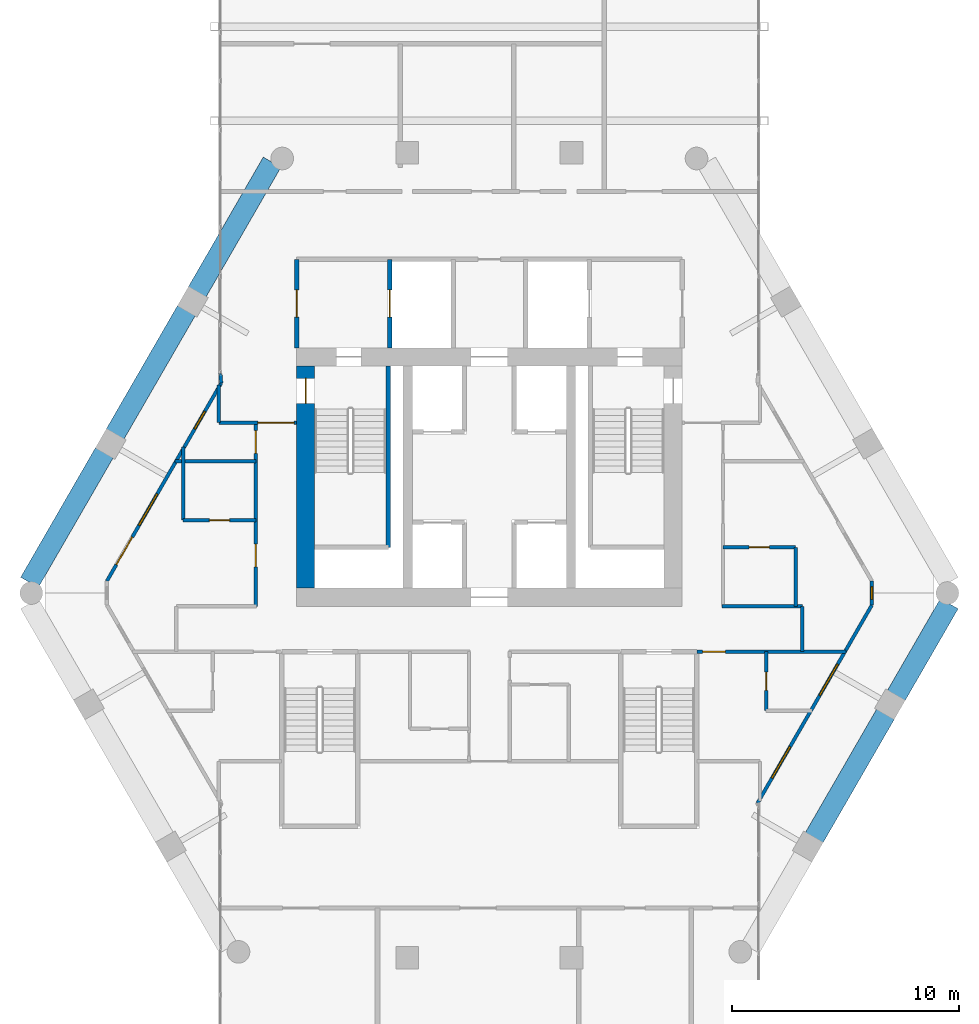
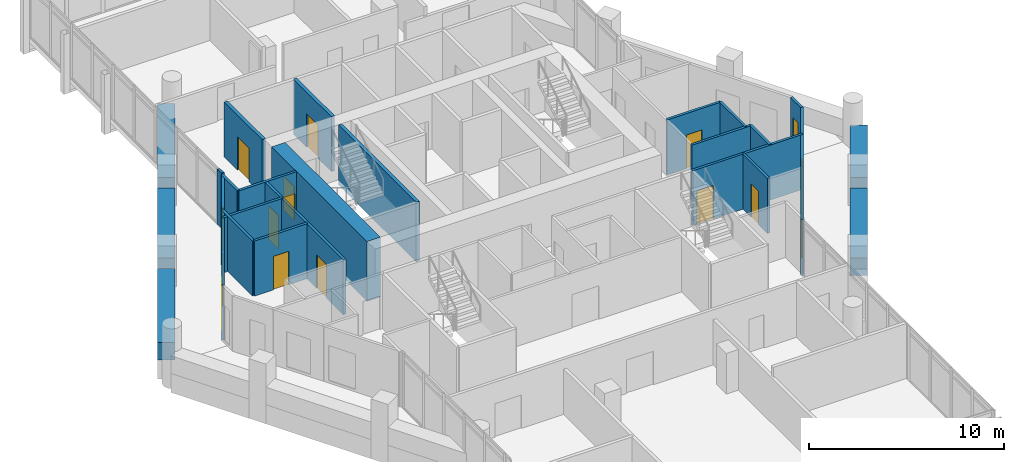
# One storey, part 26 of 29: 25 walls, 11 doors, 5 windows, 16 openings.
"""IFC4 building model written with IfcOpenShell, lengths in metres."""

from ifc_helpers import new_model, si_unit, direction, frame, frame_2d, origin, place, context, subcontext, project, spatial, rectangle, extrude, material, layer, layer_set, type_object, element, fill, save


model = new_model("IFC4")

# Units and contexts
model_context = context("Model", 3, precision=1e-05, world=origin(), true_north=direction((0.0, 1.0)))
body_context = subcontext(model_context, "Body", "Model", "MODEL_VIEW")
ifc_project = project(units=[si_unit("LENGTHUNIT", "METRE"), si_unit("AREAUNIT", "SQUARE_METRE"), si_unit("VOLUMEUNIT", "CUBIC_METRE"), si_unit("PLANEANGLEUNIT", "RADIAN"), si_unit("MASSUNIT", "GRAM", prefix="KILO")], contexts=[model_context])

# Site, building, storey
site_placement = place(None, origin())
site = spatial("IfcSite", under=ifc_project, at=site_placement, CompositionType="ELEMENT")
building_placement = place(site_placement, origin())
building = spatial("IfcBuilding", under=site, at=building_placement, Name="Ostrander Bayou Hotel Tower", CompositionType="ELEMENT")
storey_placement = place(building_placement, frame((0.0, 0.0, 202.0)))
storey = spatial("IfcBuildingStorey", under=building, at=storey_placement, Name="L50", CompositionType="ELEMENT", Elevation=202.0)

# Wall, opening, door
ifc_material_1 = material(Name="Concrete f'c 60 MPa", Category="concrete")
ifc_layer_1 = layer(ifc_material_1, 0.800048828125)
ifc_layer_set_1 = layer_set([ifc_layer_1], Name="CW8 core spine wall 800 mm f'c 60 MPa")
wall_type_1 = type_object("IfcWallType", Name="CW8 core spine wall 800 mm f'c 60 MPa", PredefinedType="SHEAR", material=ifc_layer_set_1)
wall_1_placement = place(storey_placement, frame((-8.10009765625, -0.89990234375, -0.300048828125), z_axis=(0.0, 0.0, 1.0), x_axis=(0.0, 1.0, 0.0)))
wall_1 = element("IfcWall", 1, at=wall_1_placement, inside=storey, type_object=wall_type_1, Name="CW8 L50 W", PredefinedType="SHEAR", context=body_context, shape_type="SweptSolid", body=[
    extrude(rectangle(XDim=9.7998046875, YDim=0.800048828125, at=frame_2d((4.89990234375, 0.0))), origin(), (0.0, 0.0, 1.0), 3.75),
])
opening_1_placement = place(wall_1_placement, frame((8.14990234375, 0.0, 0.0)))
opening_1 = element("IfcOpeningElement", 2, at=opening_1_placement, cuts=wall_1, Name="Opening T50-008", PredefinedType="OPENING", context=body_context, shape_type="SweptSolid", body=[
    extrude(rectangle(XDim=1.10009765625, YDim=2.10009765625, at=frame_2d((0.550048828125, 1.050048828125))), frame((0.0, 0.39990234375, 0.0), z_axis=(0.0, -1.0, 0.0), x_axis=(1.0, 0.0, 0.0)), (0.0, 0.0, 1.0), 0.800048828125),
])
ifc_material_2 = material(Name="Timber door leaf", Category="wood")
door_type_1 = type_object("IfcDoorType", Name="D5 stair door 1100 x 2100 mm, 90 minute", OperationType="SINGLE_SWING_LEFT", PredefinedType="DOOR", material=ifc_material_2)
door_1_placement = place(opening_1_placement, origin())
door_1 = element("IfcDoor", 3, at=door_1_placement, inside=storey, type_object=door_type_1, Name="dr:L50:008", OperationType="SINGLE_SWING_RIGHT", OverallHeight=2.10009765625, OverallWidth=1.10009765625, PredefinedType="DOOR", context=body_context, shape_type="SweptSolid", body=[
    extrude(rectangle(XDim=1.10009765625, YDim=2.10009765625, at=frame_2d((0.550048828125, 1.050048828125))), frame((0.0, 0.02490234375, 0.0), z_axis=(0.0, -1.0, 0.0), x_axis=(1.0, 0.0, 0.0)), (0.0, 0.0, 1.0), 0.050048828125),
])
fill(opening_1, door_1)

# Wall, openings, door, windows
ifc_material_3 = material(Name="Aluminium framed insulated wall", Category="aluminium")
ifc_layer_2 = layer(ifc_material_3, 0.14990234375)
ifc_layer_set_2 = layer_set([ifc_layer_2], Name="GW1 glass-line wall 150 mm")
wall_type_2 = type_object("IfcWallType", Name="GW1 glass-line wall 150 mm", PredefinedType="SOLIDWALL", material=ifc_layer_set_2)
wall_2_placement = place(storey_placement, frame((-11.823974609375, 8.144775390625, 0.0), z_axis=(0.0, 0.0, 1.0), x_axis=(-0.499993749393, -0.866029012544, 0.0)))
wall_2 = element("IfcWall", 4, at=wall_2_placement, inside=storey, type_object=wall_type_2, Name="GW1 L50 NW 1", PredefinedType="SOLIDWALL", context=body_context, shape_type="SweptSolid", body=[
    extrude(rectangle(XDim=10.074951171875, YDim=0.14990234375, at=frame_2d((5.03759765625, 0.0))), origin(), (0.0, 0.0, 1.0), 3.449951171875),
])
opening_2_placement = place(wall_2_placement, frame((1.44140625, 0.0, 0.14990234375)))
opening_2 = element("IfcOpeningElement", 5, at=opening_2_placement, cuts=wall_2, Name="Opening W17", PredefinedType="OPENING", context=body_context, shape_type="SweptSolid", body=[
    extrude(rectangle(XDim=0.89990234375, YDim=2.199951171875, at=frame_2d((0.449951171875, 1.10009765625))), frame((0.0, 0.074951171875, 0.0), z_axis=(0.0, -1.0, 0.0), x_axis=(1.0, 0.0, 0.0)), (0.0, 0.0, 1.0), 0.14990234375),
])
opening_3_placement = place(wall_2_placement, frame((5.6416015625, 0.0, 0.14990234375)))
opening_3 = element("IfcOpeningElement", 6, at=opening_3_placement, cuts=wall_2, Name="Opening W9", PredefinedType="OPENING", context=body_context, shape_type="SweptSolid", body=[
    extrude(rectangle(XDim=1.60009765625, YDim=2.199951171875, at=frame_2d((0.800048828125, 1.10009765625))), frame((0.0, 0.074951171875, 0.0), z_axis=(0.0, -1.0, 0.0), x_axis=(1.0, 0.0, 0.0)), (0.0, 0.0, 1.0), 0.14990234375),
])
opening_4_placement = place(wall_2_placement, frame((7.841552734375, 0.0, 0.0)))
opening_4 = element("IfcOpeningElement", 7, at=opening_4_placement, cuts=wall_2, Name="Opening T50-800", PredefinedType="OPENING", context=body_context, shape_type="SweptSolid", body=[
    extrude(rectangle(XDim=1.39990234375, YDim=2.39990234375, at=frame_2d((0.699951171875, 1.199951171875))), frame((0.0, 0.074951171875, 0.0), z_axis=(0.0, -1.0, 0.0), x_axis=(1.0, 0.0, 0.0)), (0.0, 0.0, 1.0), 0.14990234375),
])
ifc_material_4 = material(Name="Aluminium and clear glass", Category="aluminium")
door_type_2 = type_object("IfcDoorType", Name="SD3 sliding glass door 1400 mm, zone 3", OperationType="SLIDING_TO_LEFT", PredefinedType="DOOR", material=ifc_material_4)
door_2_placement = place(opening_4_placement, origin())
door_2 = element("IfcDoor", 8, at=door_2_placement, inside=storey, type_object=door_type_2, Name="SD3 L50 NW 4", OperationType="SLIDING_TO_RIGHT", OverallHeight=2.39990234375, OverallWidth=1.39990234375, PredefinedType="DOOR", context=body_context, shape_type="SweptSolid", body=[
    extrude(rectangle(XDim=1.39990234375, YDim=2.39990234375, at=frame_2d((0.699951171875, 1.199951171875))), frame((0.0, 0.02490234375, 0.0), z_axis=(0.0, -1.0, 0.0), x_axis=(1.0, 0.0, 0.0)), (0.0, 0.0, 1.0), 0.050048828125),
])
fill(opening_4, door_2)
ifc_material_5 = material(Name="Aluminium and clear glass", Category="aluminium")
window_type_1 = type_object("IfcWindowType", Name="W17 window 900 mm, zone 3", PartitioningType="SINGLE_PANEL", PredefinedType="WINDOW", material=ifc_material_5)
window_1_placement = place(opening_2_placement, origin())
window_1 = element("IfcWindow", 9, at=window_1_placement, inside=storey, type_object=window_type_1, Name="W17 L50 NW 3", OverallHeight=2.199951171875, OverallWidth=0.89990234375, PartitioningType="SINGLE_PANEL", PredefinedType="WINDOW", context=body_context, shape_type="SweptSolid", body=[
    extrude(rectangle(XDim=0.89990234375, YDim=2.199951171875, at=frame_2d((0.449951171875, 1.10009765625))), frame((0.0, 0.030029296875, 0.0), z_axis=(0.0, -1.0, 0.0), x_axis=(1.0, 0.0, 0.0)), (0.0, 0.0, 1.0), 0.06005859375),
])
fill(opening_2, window_1)
ifc_material_6 = material(Name="Aluminium and clear glass", Category="aluminium")
window_type_2 = type_object("IfcWindowType", Name="W9 fixed window 1600 mm, bar storeys, zone 3", PartitioningType="SINGLE_PANEL", PredefinedType="WINDOW", material=ifc_material_6)
window_2_placement = place(opening_3_placement, origin())
window_2 = element("IfcWindow", 10, at=window_2_placement, inside=storey, type_object=window_type_2, Name="W9 L50 NW 4", OverallHeight=2.199951171875, OverallWidth=1.60009765625, PartitioningType="SINGLE_PANEL", PredefinedType="WINDOW", context=body_context, shape_type="SweptSolid", body=[
    extrude(rectangle(XDim=1.60009765625, YDim=2.199951171875, at=frame_2d((0.800048828125, 1.10009765625))), frame((0.0, 0.030029296875, 0.0), z_axis=(0.0, -1.0, 0.0), x_axis=(1.0, 0.0, 0.0)), (0.0, 0.0, 1.0), 0.06005859375),
])
fill(opening_3, window_2)

# Wall, openings, windows
wall_3_placement = place(storey_placement, frame((11.823974609375, -10.370361328125, 0.0), z_axis=(0.0, 0.0, 1.0), x_axis=(0.499993749393, 0.866029012544, 0.0)))
wall_3 = element("IfcWall", 11, at=wall_3_placement, inside=storey, type_object=wall_type_2, Name="GW1 L50 SE 1", PredefinedType="SOLIDWALL", context=body_context, shape_type="SweptSolid", body=[
    extrude(rectangle(XDim=10.074951171875, YDim=0.14990234375, at=frame_2d((5.03759765625, 0.0))), origin(), (0.0, 0.0, 1.0), 3.449951171875),
])
opening_5_placement = place(wall_3_placement, frame((1.26904296875, 0.0, 0.14990234375)))
opening_5 = element("IfcOpeningElement", 12, at=opening_5_placement, cuts=wall_3, Name="Opening W9", PredefinedType="OPENING", context=body_context, shape_type="SweptSolid", body=[
    extrude(rectangle(XDim=1.60009765625, YDim=2.199951171875, at=frame_2d((0.800048828125, 1.10009765625))), frame((0.0, 0.074951171875, 0.0), z_axis=(0.0, -1.0, 0.0), x_axis=(1.0, 0.0, 0.0)), (0.0, 0.0, 1.0), 0.14990234375),
])
opening_6_placement = place(wall_3_placement, frame((5.468994140625, 0.0, 0.14990234375)))
opening_6 = element("IfcOpeningElement", 13, at=opening_6_placement, cuts=wall_3, Name="Opening W9", PredefinedType="OPENING", context=body_context, shape_type="SweptSolid", body=[
    extrude(rectangle(XDim=1.60009765625, YDim=2.199951171875, at=frame_2d((0.800048828125, 1.10009765625))), frame((0.0, 0.074951171875, 0.0), z_axis=(0.0, -1.0, 0.0), x_axis=(1.0, 0.0, 0.0)), (0.0, 0.0, 1.0), 0.14990234375),
])
window_3_placement = place(opening_5_placement, origin())
window_3 = element("IfcWindow", 14, at=window_3_placement, inside=storey, type_object=window_type_2, Name="W9 L50 SE 2", OverallHeight=2.199951171875, OverallWidth=1.60009765625, PartitioningType="SINGLE_PANEL", PredefinedType="WINDOW", context=body_context, shape_type="SweptSolid", body=[
    extrude(rectangle(XDim=1.60009765625, YDim=2.199951171875, at=frame_2d((0.800048828125, 1.10009765625))), frame((0.0, 0.030029296875, 0.0), z_axis=(0.0, -1.0, 0.0), x_axis=(1.0, 0.0, 0.0)), (0.0, 0.0, 1.0), 0.06005859375),
])
fill(opening_5, window_3)
window_4_placement = place(opening_6_placement, origin())
window_4 = element("IfcWindow", 15, at=window_4_placement, inside=storey, type_object=window_type_2, Name="W9 L50 SE 3", OverallHeight=2.199951171875, OverallWidth=1.60009765625, PartitioningType="SINGLE_PANEL", PredefinedType="WINDOW", context=body_context, shape_type="SweptSolid", body=[
    extrude(rectangle(XDim=1.60009765625, YDim=2.199951171875, at=frame_2d((0.800048828125, 1.10009765625))), frame((0.0, 0.030029296875, 0.0), z_axis=(0.0, -1.0, 0.0), x_axis=(1.0, 0.0, 0.0)), (0.0, 0.0, 1.0), 0.06005859375),
])
fill(opening_6, window_4)

# Wall, opening, window
wall_4_placement = place(storey_placement, frame((16.861328125, -1.645263671875, 0.0), z_axis=(0.0, 0.0, 1.0), x_axis=(0.0, 1.0, 0.0)))
wall_4 = element("IfcWall", 16, at=wall_4_placement, inside=storey, type_object=wall_type_2, Name="GW1 L50 corner 5", PredefinedType="SOLIDWALL", context=body_context, shape_type="SweptSolid", body=[
    extrude(rectangle(XDim=1.06494140625, YDim=0.14990234375, at=frame_2d((0.532470703125, 0.0))), origin(), (0.0, 0.0, 1.0), 3.449951171875),
])
opening_7_placement = place(wall_4_placement, frame((0.257568359375, 0.0, 0.14990234375)))
opening_7 = element("IfcOpeningElement", 17, at=opening_7_placement, cuts=wall_4, Name="Opening W19", PredefinedType="OPENING", context=body_context, shape_type="SweptSolid", body=[
    extrude(rectangle(XDim=0.550048828125, YDim=2.199951171875, at=frame_2d((0.27490234375, 1.10009765625))), frame((0.0, 0.074951171875, 0.0), z_axis=(0.0, -1.0, 0.0), x_axis=(1.0, 0.0, 0.0)), (0.0, 0.0, 1.0), 0.14990234375),
])
ifc_material_7 = material(Name="Aluminium and clear glass", Category="aluminium")
window_type_3 = type_object("IfcWindowType", Name="W19 corner window 550 mm", PartitioningType="SINGLE_PANEL", PredefinedType="WINDOW", material=ifc_material_7)
window_5_placement = place(opening_7_placement, origin())
window_5 = element("IfcWindow", 18, at=window_5_placement, inside=storey, type_object=window_type_3, Name="W19 L50 corner 5", OverallHeight=2.199951171875, OverallWidth=0.550048828125, PartitioningType="SINGLE_PANEL", PredefinedType="WINDOW", context=body_context, shape_type="SweptSolid", body=[
    extrude(rectangle(XDim=0.550048828125, YDim=2.199951171875, at=frame_2d((0.27490234375, 1.10009765625))), frame((0.0, 0.030029296875, 0.0), z_axis=(0.0, -1.0, 0.0), x_axis=(1.0, 0.0, 0.0)), (0.0, 0.0, 1.0), 0.06005859375),
])
fill(opening_7, window_5)

# Walls
wall_5_placement = place(storey_placement, frame((-11.823974609375, 8.144775390625, 0.0), z_axis=(0.0, 0.0, 1.0), x_axis=(-0.078869316502, 0.996884963732, 0.0)))
element("IfcWall", 19, at=wall_5_placement, inside=storey, type_object=wall_type_2, Name="GW1 L50 bar joint 1", PredefinedType="SOLIDWALL", context=body_context, shape_type="SweptSolid", body=[
    extrude(rectangle(XDim=0.4208984375, YDim=0.14990234375, at=frame_2d((0.21044921875, 0.0))), origin(), (0.0, 0.0, 1.0), 3.449951171875),
])
ifc_material_8 = material(Name="Concrete f'c 40 MPa", Category="concrete")
ifc_layer_3 = layer(ifc_material_8, 0.89990234375)
ifc_layer_set_3 = layer_set([ifc_layer_3], Name="PA1 stone-faced parapet 900 mm")
wall_type_3 = type_object("IfcWallType", Name="PA1 stone-faced parapet 900 mm", PredefinedType="PARAPET", material=ifc_layer_set_3)
wall_6_placement = place(storey_placement, frame((-9.58056640625, 17.88037109375, 0.0), z_axis=(0.0, 0.0, 1.0), x_axis=(-0.499994358189, -0.866028661061, 0.0)))
element("IfcWall", 20, at=wall_6_placement, inside=storey, type_object=wall_type_3, Name="PA1 L50 NW-1", PredefinedType="PARAPET", context=body_context, shape_type="SweptSolid", body=[
    extrude(rectangle(XDim=6.6064453125, YDim=0.89990234375, at=frame_2d((3.30322265625, 0.0))), origin(), (0.0, 0.0, 1.0), 1.10009765625),
])
wall_7_placement = place(storey_placement, frame((-13.353759765625, 11.344970703125, 0.0), z_axis=(0.0, 0.0, 1.0), x_axis=(-0.500013351051, -0.866017695414, 0.0)))
element("IfcWall", 21, at=wall_7_placement, inside=storey, type_object=wall_type_3, Name="PA1 L50 NW-2", PredefinedType="PARAPET", context=body_context, shape_type="SweptSolid", body=[
    extrude(rectangle(XDim=6.296142578125, YDim=0.89990234375, at=frame_2d((3.14794921875, 0.0))), origin(), (0.0, 0.0, 1.0), 1.10009765625),
])
wall_8_placement = place(storey_placement, frame((-16.971923828125, 5.078125, 0.0), z_axis=(0.0, 0.0, 1.0), x_axis=(-0.500010360262, -0.866019422202, 0.0)))
element("IfcWall", 22, at=wall_8_placement, inside=storey, type_object=wall_type_3, Name="PA1 L50 NW-3", PredefinedType="PARAPET", context=body_context, shape_type="SweptSolid", body=[
    extrude(rectangle(XDim=6.606201171875, YDim=0.89990234375, at=frame_2d((3.30322265625, 0.0))), origin(), (0.0, 0.0, 1.0), 1.10009765625),
])
ifc_material_9 = material(Name="Limestone masonry", Category="masonry")
ifc_layer_4 = layer(ifc_material_9, 0.89990234375)
ifc_layer_set_4 = layer_set([ifc_layer_4], Name="PA2 limestone parapet 900 mm")
wall_type_4 = type_object("IfcWallType", Name="PA2 limestone parapet 900 mm", PredefinedType="PARAPET", material=ifc_layer_set_4)
wall_9_placement = place(storey_placement, frame((14.3173828125, -11.9013671875, 0.0), z_axis=(0.0, 0.0, 1.0), x_axis=(0.500013351051, 0.866017695414, 0.0)))
element("IfcWall", 23, at=wall_9_placement, inside=storey, type_object=wall_type_4, Name="PA2 L50 SE-2", PredefinedType="PARAPET", context=body_context, shape_type="SweptSolid", body=[
    extrude(rectangle(XDim=6.296142578125, YDim=0.89990234375, at=frame_2d((3.14794921875, 0.0))), origin(), (0.0, 0.0, 1.0), 1.10009765625),
])
wall_10_placement = place(storey_placement, frame((17.935546875, -5.634521484375, 0.0), z_axis=(0.0, 0.0, 1.0), x_axis=(0.500028081597, 0.86600919026, 0.0)))
element("IfcWall", 24, at=wall_10_placement, inside=storey, type_object=wall_type_4, Name="PA2 L50 SE-3", PredefinedType="PARAPET", context=body_context, shape_type="SweptSolid", body=[
    extrude(rectangle(XDim=4.678955078125, YDim=0.89990234375, at=frame_2d((2.33935546875, 0.0))), origin(), (0.0, 0.0, 1.0), 1.10009765625),
])

# Wall, opening, door
ifc_material_10 = material(Name="Masonry block", Category="masonry")
ifc_layer_5 = layer(ifc_material_10, 0.199951171875)
ifc_layer_set_5 = layer_set([ifc_layer_5], Name="PT5 stair enclosure wall 200 mm masonry, 2 hour")
wall_type_5 = type_object("IfcWallType", Name="PT5 stair enclosure wall 200 mm masonry, 2 hour", PredefinedType="PARTITIONING", material=ifc_layer_set_5)
wall_11_placement = place(storey_placement, frame((-8.5, 9.699951171875, 0.0), z_axis=(0.0, 0.0, 1.0), x_axis=(0.0, 1.0, 0.0)))
wall_11 = element("IfcWall", 25, at=wall_11_placement, inside=storey, type_object=wall_type_5, Name="cs:L50:022", PredefinedType="PARTITIONING", context=body_context, shape_type="SweptSolid", body=[
    extrude(rectangle(XDim=3.900146484375, YDim=0.199951171875, at=frame_2d((1.9501953125, 0.0))), origin(), (0.0, 0.0, 1.0), 3.449951171875),
])
opening_8_placement = place(wall_11_placement, frame((1.35009765625, 0.0, 0.0)))
opening_8 = element("IfcOpeningElement", 26, at=opening_8_placement, cuts=wall_11, Name="Opening T50-014", PredefinedType="OPENING", context=body_context, shape_type="SweptSolid", body=[
    extrude(rectangle(XDim=1.199951171875, YDim=2.10009765625, at=frame_2d((0.60009765625, 1.050048828125))), frame((0.0, 0.10009765625, 0.0), z_axis=(0.0, -1.0, 0.0), x_axis=(1.0, 0.0, 0.0)), (0.0, 0.0, 1.0), 0.199951171875),
])
ifc_material_11 = material(Name="Timber door leaf", Category="wood")
door_type_3 = type_object("IfcDoorType", Name="D7 lobby door 1200 x 2100 mm, 1 hour", OperationType="SINGLE_SWING_LEFT", PredefinedType="DOOR", material=ifc_material_11)
door_3_placement = place(opening_8_placement, origin())
door_3 = element("IfcDoor", 27, at=door_3_placement, inside=storey, type_object=door_type_3, Name="dr:L50:014", OperationType="SINGLE_SWING_LEFT", OverallHeight=2.10009765625, OverallWidth=1.199951171875, PredefinedType="DOOR", context=body_context, shape_type="SweptSolid", body=[
    extrude(rectangle(XDim=1.199951171875, YDim=2.10009765625, at=frame_2d((0.60009765625, 1.050048828125))), frame((0.0, 0.02490234375, 0.0), z_axis=(0.0, -1.0, 0.0), x_axis=(1.0, 0.0, 0.0)), (0.0, 0.0, 1.0), 0.050048828125),
])
fill(opening_8, door_3)

wall_12_placement = place(storey_placement, frame((-4.39990234375, 9.699951171875, 0.0), z_axis=(0.0, 0.0, 1.0), x_axis=(0.0, 1.0, 0.0)))
wall_12 = element("IfcWall", 28, at=wall_12_placement, inside=storey, type_object=wall_type_5, Name="cs:L50:024", PredefinedType="PARTITIONING", context=body_context, shape_type="SweptSolid", body=[
    extrude(rectangle(XDim=3.900146484375, YDim=0.199951171875, at=frame_2d((1.9501953125, 0.0))), origin(), (0.0, 0.0, 1.0), 3.449951171875),
])
opening_9_placement = place(wall_12_placement, frame((1.35009765625, 0.0, 0.0)))
opening_9 = element("IfcOpeningElement", 29, at=opening_9_placement, cuts=wall_12, Name="Opening T50-013", PredefinedType="OPENING", context=body_context, shape_type="SweptSolid", body=[
    extrude(rectangle(XDim=1.199951171875, YDim=2.10009765625, at=frame_2d((0.60009765625, 1.050048828125))), frame((0.0, 0.10009765625, 0.0), z_axis=(0.0, -1.0, 0.0), x_axis=(1.0, 0.0, 0.0)), (0.0, 0.0, 1.0), 0.199951171875),
])
ifc_material_12 = material(Name="Stainless steel sliding door", Category="steel")
door_type_4 = type_object("IfcDoorType", Name="LD1 lift landing door 1200 x 2100 mm", OperationType="SINGLE_SWING_LEFT", PredefinedType="DOOR", material=ifc_material_12)
door_4_placement = place(opening_9_placement, origin())
door_4 = element("IfcDoor", 30, at=door_4_placement, inside=storey, type_object=door_type_4, Name="dr:L50:013", OperationType="SLIDING_TO_LEFT", OverallHeight=2.10009765625, OverallWidth=1.199951171875, PredefinedType="DOOR", context=body_context, shape_type="SweptSolid", body=[
    extrude(rectangle(XDim=1.199951171875, YDim=2.10009765625, at=frame_2d((0.60009765625, 1.050048828125))), frame((0.0, 0.02490234375, 0.0), z_axis=(0.0, -1.0, 0.0), x_axis=(1.0, 0.0, 0.0)), (0.0, 0.0, 1.0), 0.050048828125),
])
fill(opening_9, door_4)

ifc_material_13 = material(Name="Gypsum board partition", Category="finish")
ifc_layer_6 = layer(ifc_material_13, 0.14990234375)
ifc_layer_set_6 = layer_set([ifc_layer_6], Name="PT8 service band wall 150 mm, 1 hour")
wall_type_6 = type_object("IfcWallType", Name="PT8 service band wall 150 mm, 1 hour", PredefinedType="PARTITIONING", material=ifc_layer_set_6)
wall_13_placement = place(storey_placement, frame((9.159912109375, -3.699951171875, 0.0), z_axis=(0.0, 0.0, 1.0), x_axis=(1.0, 0.0, 0.0)))
wall_13 = element("IfcWall", 31, at=wall_13_placement, inside=storey, type_object=wall_type_6, Name="gw:L50:011", PredefinedType="PARTITIONING", context=body_context, shape_type="SweptSolid", body=[
    extrude(rectangle(XDim=6.567138671875, YDim=0.14990234375, at=frame_2d((3.28369140625, 0.0))), origin(), (0.0, 0.0, 1.0), 3.449951171875),
])
opening_10_placement = place(wall_13_placement, frame((0.239990234375, 0.0, 0.0)))
opening_10 = element("IfcOpeningElement", 32, at=opening_10_placement, cuts=wall_13, Name="Opening T50-406", PredefinedType="OPENING", context=body_context, shape_type="SweptSolid", body=[
    extrude(rectangle(XDim=1.0, YDim=2.10009765625, at=frame_2d((0.5, 1.050048828125))), frame((0.0, 0.074951171875, 0.0), z_axis=(0.0, -1.0, 0.0), x_axis=(1.0, 0.0, 0.0)), (0.0, 0.0, 1.0), 0.14990234375),
])
ifc_material_14 = material(Name="Timber door leaf", Category="wood")
door_type_5 = type_object("IfcDoorType", Name="D1 guest room door 1000 x 2100 mm, 30 minute", OperationType="SINGLE_SWING_LEFT", PredefinedType="DOOR", material=ifc_material_14)
door_5_placement = place(opening_10_placement, origin())
door_5 = element("IfcDoor", 33, at=door_5_placement, inside=storey, type_object=door_type_5, Name="dr:L50:406", OperationType="SINGLE_SWING_LEFT", OverallHeight=2.10009765625, OverallWidth=1.0, PredefinedType="DOOR", context=body_context, shape_type="SweptSolid", body=[
    extrude(rectangle(XDim=1.0, YDim=2.10009765625, at=frame_2d((0.5, 1.050048828125))), frame((0.0, 0.02490234375, 0.0), z_axis=(0.0, -1.0, 0.0), x_axis=(1.0, 0.0, 0.0)), (0.0, 0.0, 1.0), 0.050048828125),
])
fill(opening_10, door_5)

# Wall
wall_14_placement = place(storey_placement, frame((10.260009765625, -1.699951171875, 0.0), z_axis=(0.0, 0.0, 1.0), x_axis=(1.0, 0.0, 0.0)))
element("IfcWall", 34, at=wall_14_placement, inside=storey, type_object=wall_type_6, Name="gw:L50:013", PredefinedType="PARTITIONING", context=body_context, shape_type="SweptSolid", body=[
    extrude(rectangle(XDim=3.5400390625, YDim=0.14990234375, at=frame_2d((1.77001953125, 0.0))), origin(), (0.0, 0.0, 1.0), 3.449951171875),
])

# Wall, opening, door
wall_15_placement = place(storey_placement, frame((10.300048828125, 0.89990234375, 0.0), z_axis=(0.0, 0.0, 1.0), x_axis=(1.0, 0.0, 0.0)))
wall_15 = element("IfcWall", 35, at=wall_15_placement, inside=storey, type_object=wall_type_6, Name="gw:L50:014", PredefinedType="PARTITIONING", context=body_context, shape_type="SweptSolid", body=[
    extrude(rectangle(XDim=3.199951171875, YDim=0.14990234375, at=frame_2d((1.60009765625, 0.0))), origin(), (0.0, 0.0, 1.0), 3.449951171875),
])
opening_11_placement = place(wall_15_placement, frame((1.14990234375, 0.0, 0.0)))
opening_11 = element("IfcOpeningElement", 36, at=opening_11_placement, cuts=wall_15, Name="Opening T50-412", PredefinedType="OPENING", context=body_context, shape_type="SweptSolid", body=[
    extrude(rectangle(XDim=0.89990234375, YDim=2.10009765625, at=frame_2d((0.449951171875, 1.050048828125))), frame((0.0, 0.074951171875, 0.0), z_axis=(0.0, -1.0, 0.0), x_axis=(1.0, 0.0, 0.0)), (0.0, 0.0, 1.0), 0.14990234375),
])
ifc_material_15 = material(Name="Timber door leaf", Category="wood")
door_type_6 = type_object("IfcDoorType", Name="D8 room door 900 x 2100 mm", OperationType="SINGLE_SWING_LEFT", PredefinedType="DOOR", material=ifc_material_15)
door_6_placement = place(opening_11_placement, origin())
door_6 = element("IfcDoor", 37, at=door_6_placement, inside=storey, type_object=door_type_6, Name="dr:L50:412", OperationType="SINGLE_SWING_LEFT", OverallHeight=2.10009765625, OverallWidth=0.89990234375, PredefinedType="DOOR", context=body_context, shape_type="SweptSolid", body=[
    extrude(rectangle(XDim=0.89990234375, YDim=2.10009765625, at=frame_2d((0.449951171875, 1.050048828125))), frame((0.0, 0.02490234375, 0.0), z_axis=(0.0, -1.0, 0.0), x_axis=(1.0, 0.0, 0.0)), (0.0, 0.0, 1.0), 0.050048828125),
])
fill(opening_11, door_6)

wall_16_placement = place(storey_placement, frame((-13.5, 2.10009765625, 0.0), z_axis=(0.0, 0.0, 1.0), x_axis=(1.0, 0.0, 0.0)))
wall_16 = element("IfcWall", 38, at=wall_16_placement, inside=storey, type_object=wall_type_6, Name="gw:L50:015", PredefinedType="PARTITIONING", context=body_context, shape_type="SweptSolid", body=[
    extrude(rectangle(XDim=3.199951171875, YDim=0.14990234375, at=frame_2d((1.60009765625, 0.0))), origin(), (0.0, 0.0, 1.0), 3.449951171875),
])
opening_12_placement = place(wall_16_placement, frame((1.14990234375, 0.0, 0.0)))
opening_12 = element("IfcOpeningElement", 39, at=opening_12_placement, cuts=wall_16, Name="Opening T50-409", PredefinedType="OPENING", context=body_context, shape_type="SweptSolid", body=[
    extrude(rectangle(XDim=0.89990234375, YDim=2.10009765625, at=frame_2d((0.449951171875, 1.050048828125))), frame((0.0, 0.074951171875, 0.0), z_axis=(0.0, -1.0, 0.0), x_axis=(1.0, 0.0, 0.0)), (0.0, 0.0, 1.0), 0.14990234375),
])
door_7_placement = place(opening_12_placement, origin())
door_7 = element("IfcDoor", 40, at=door_7_placement, inside=storey, type_object=door_type_6, Name="dr:L50:409", OperationType="SINGLE_SWING_RIGHT", OverallHeight=2.10009765625, OverallWidth=0.89990234375, PredefinedType="DOOR", context=body_context, shape_type="SweptSolid", body=[
    extrude(rectangle(XDim=0.89990234375, YDim=2.10009765625, at=frame_2d((0.449951171875, 1.050048828125))), frame((0.0, 0.02490234375, 0.0), z_axis=(0.0, -1.0, 0.0), x_axis=(1.0, 0.0, 0.0)), (0.0, 0.0, 1.0), 0.050048828125),
])
fill(opening_12, door_7)

# Wall
wall_17_placement = place(storey_placement, frame((-13.864990234375, 4.699951171875, 0.0), z_axis=(0.0, 0.0, 1.0), x_axis=(1.0, 0.0, 0.0)))
element("IfcWall", 41, at=wall_17_placement, inside=storey, type_object=wall_type_6, Name="gw:L50:016", PredefinedType="PARTITIONING", context=body_context, shape_type="SweptSolid", body=[
    extrude(rectangle(XDim=3.56494140625, YDim=0.14990234375, at=frame_2d((1.782470703125, 0.0))), origin(), (0.0, 0.0, 1.0), 3.449951171875),
])

# Wall, opening, door
wall_18_placement = place(storey_placement, frame((-11.929931640625, 6.39990234375, 0.0), z_axis=(0.0, 0.0, 1.0), x_axis=(1.0, 0.0, 0.0)))
wall_18 = element("IfcWall", 42, at=wall_18_placement, inside=storey, type_object=wall_type_6, Name="gw:L50:018", PredefinedType="PARTITIONING", context=body_context, shape_type="SweptSolid", body=[
    extrude(rectangle(XDim=3.419921875, YDim=0.14990234375, at=frame_2d((1.7099609375, 0.0))), origin(), (0.0, 0.0, 1.0), 3.449951171875),
])
opening_13_placement = place(wall_18_placement, frame((1.719970703125, 0.0, 0.0)))
opening_13 = element("IfcOpeningElement", 43, at=opening_13_placement, cuts=wall_18, Name="Opening T50-1212", PredefinedType="OPENING", context=body_context, shape_type="SweptSolid", body=[
    extrude(rectangle(XDim=1.60009765625, YDim=2.10009765625, at=frame_2d((0.800048828125, 1.050048828125))), frame((0.0, 0.074951171875, 0.0), z_axis=(0.0, -1.0, 0.0), x_axis=(1.0, 0.0, 0.0)), (0.0, 0.0, 1.0), 0.14990234375),
])
ifc_material_16 = material(Name="Timber door leaf", Category="wood")
door_type_7 = type_object("IfcDoorType", Name="D13 double door 1600 x 2100 mm, 1 hour", OperationType="SINGLE_SWING_LEFT", PredefinedType="DOOR", material=ifc_material_16)
door_8_placement = place(opening_13_placement, origin())
door_8 = element("IfcDoor", 44, at=door_8_placement, inside=storey, type_object=door_type_7, Name="dr:L50:1212", OperationType="DOUBLE_DOOR_SINGLE_SWING", OverallHeight=2.10009765625, OverallWidth=1.60009765625, PredefinedType="DOOR", context=body_context, shape_type="SweptSolid", body=[
    extrude(rectangle(XDim=1.60009765625, YDim=2.10009765625, at=frame_2d((0.800048828125, 1.050048828125))), frame((0.0, 0.02490234375, 0.0), z_axis=(0.0, -1.0, 0.0), x_axis=(1.0, 0.0, 0.0)), (0.0, 0.0, 1.0), 0.050048828125),
])
fill(opening_13, door_8)

# Walls
wall_19_placement = place(storey_placement, frame((13.800048828125, -3.699951171875, 0.0), z_axis=(0.0, 0.0, 1.0), x_axis=(0.0, 1.0, 0.0)))
element("IfcWall", 45, at=wall_19_placement, inside=storey, type_object=wall_type_6, Name="gw:L50:020", PredefinedType="PARTITIONING", context=body_context, shape_type="SweptSolid", body=[
    extrude(rectangle(XDim=2.0, YDim=0.14990234375, at=frame_2d((1.0, 0.0))), origin(), (0.0, 0.0, 1.0), 3.449951171875),
])
wall_20_placement = place(storey_placement, frame((13.5, -1.699951171875, 0.0), z_axis=(0.0, 0.0, 1.0), x_axis=(0.0, 1.0, 0.0)))
element("IfcWall", 46, at=wall_20_placement, inside=storey, type_object=wall_type_6, Name="gw:L50:021", PredefinedType="PARTITIONING", context=body_context, shape_type="SweptSolid", body=[
    extrude(rectangle(XDim=2.599853515625, YDim=0.14990234375, at=frame_2d((1.2998046875, 0.0))), origin(), (0.0, 0.0, 1.0), 3.449951171875),
])

# Wall, opening, door
wall_21_placement = place(storey_placement, frame((12.199951171875, -6.300048828125, 0.0), z_axis=(0.0, 0.0, 1.0), x_axis=(0.0, 1.0, 0.0)))
wall_21 = element("IfcWall", 47, at=wall_21_placement, inside=storey, type_object=wall_type_6, Name="gw:L50:022", PredefinedType="PARTITIONING", context=body_context, shape_type="SweptSolid", body=[
    extrude(rectangle(XDim=2.60009765625, YDim=0.14990234375, at=frame_2d((1.300048828125, 0.0))), origin(), (0.0, 0.0, 1.0), 3.449951171875),
])
opening_14_placement = place(wall_21_placement, frame((0.89990234375, 0.0, 0.0)))
opening_14 = element("IfcOpeningElement", 48, at=opening_14_placement, cuts=wall_21, Name="Opening T50-407", PredefinedType="OPENING", context=body_context, shape_type="SweptSolid", body=[
    extrude(rectangle(XDim=0.800048828125, YDim=2.10009765625, at=frame_2d((0.39990234375, 1.050048828125))), frame((0.0, 0.074951171875, 0.0), z_axis=(0.0, -1.0, 0.0), x_axis=(1.0, 0.0, 0.0)), (0.0, 0.0, 1.0), 0.14990234375),
])
ifc_material_17 = material(Name="Timber door leaf", Category="wood")
door_type_8 = type_object("IfcDoorType", Name="D2 bathroom door 800 x 2100 mm", OperationType="SINGLE_SWING_LEFT", PredefinedType="DOOR", material=ifc_material_17)
door_9_placement = place(opening_14_placement, origin())
door_9 = element("IfcDoor", 49, at=door_9_placement, inside=storey, type_object=door_type_8, Name="dr:L50:407", OperationType="SINGLE_SWING_RIGHT", OverallHeight=2.10009765625, OverallWidth=0.800048828125, PredefinedType="DOOR", context=body_context, shape_type="SweptSolid", body=[
    extrude(rectangle(XDim=0.800048828125, YDim=2.10009765625, at=frame_2d((0.39990234375, 1.050048828125))), frame((0.0, 0.02490234375, 0.0), z_axis=(0.0, -1.0, 0.0), x_axis=(1.0, 0.0, 0.0)), (0.0, 0.0, 1.0), 0.050048828125),
])
fill(opening_14, door_9)

# Wall, openings, doors
wall_22_placement = place(storey_placement, frame((-10.300048828125, -1.699951171875, 0.0), z_axis=(0.0, 0.0, 1.0), x_axis=(0.0, 1.0, 0.0)))
wall_22 = element("IfcWall", 50, at=wall_22_placement, inside=storey, type_object=wall_type_6, Name="gw:L50:030", PredefinedType="PARTITIONING", context=body_context, shape_type="SweptSolid", body=[
    extrude(rectangle(XDim=8.099853515625, YDim=0.14990234375, at=frame_2d((4.0498046875, 0.0))), origin(), (0.0, 0.0, 1.0), 3.449951171875),
])
opening_15_placement = place(wall_22_placement, frame((1.739990234375, 0.0, 0.0)))
opening_15 = element("IfcOpeningElement", 51, at=opening_15_placement, cuts=wall_22, Name="Opening T50-408", PredefinedType="OPENING", context=body_context, shape_type="SweptSolid", body=[
    extrude(rectangle(XDim=1.0, YDim=2.10009765625, at=frame_2d((0.5, 1.050048828125))), frame((0.0, 0.074951171875, 0.0), z_axis=(0.0, -1.0, 0.0), x_axis=(1.0, 0.0, 0.0)), (0.0, 0.0, 1.0), 0.14990234375),
])
opening_16_placement = place(wall_22_placement, frame((6.75, 0.0, 0.0)))
opening_16 = element("IfcOpeningElement", 52, at=opening_16_placement, cuts=wall_22, Name="Opening T50-410", PredefinedType="OPENING", context=body_context, shape_type="SweptSolid", body=[
    extrude(rectangle(XDim=1.0, YDim=2.10009765625, at=frame_2d((0.5, 1.050048828125))), frame((0.0, 0.074951171875, 0.0), z_axis=(0.0, -1.0, 0.0), x_axis=(1.0, 0.0, 0.0)), (0.0, 0.0, 1.0), 0.14990234375),
])
ifc_material_18 = material(Name="Timber door leaf", Category="wood")
door_type_9 = type_object("IfcDoorType", Name="D15 room door 1000 x 2100 mm", OperationType="SINGLE_SWING_LEFT", PredefinedType="DOOR", material=ifc_material_18)
door_10_placement = place(opening_15_placement, origin())
door_10 = element("IfcDoor", 53, at=door_10_placement, inside=storey, type_object=door_type_9, Name="dr:L50:408", OperationType="SINGLE_SWING_LEFT", OverallHeight=2.10009765625, OverallWidth=1.0, PredefinedType="DOOR", context=body_context, shape_type="SweptSolid", body=[
    extrude(rectangle(XDim=1.0, YDim=2.10009765625, at=frame_2d((0.5, 1.050048828125))), frame((0.0, 0.02490234375, 0.0), z_axis=(0.0, -1.0, 0.0), x_axis=(1.0, 0.0, 0.0)), (0.0, 0.0, 1.0), 0.050048828125),
])
fill(opening_15, door_10)
ifc_material_19 = material(Name="Timber door leaf", Category="wood")
door_type_10 = type_object("IfcDoorType", Name="D9 service door 1000 x 2100 mm, 30 minute", OperationType="SINGLE_SWING_LEFT", PredefinedType="DOOR", material=ifc_material_19)
door_11_placement = place(opening_16_placement, origin())
door_11 = element("IfcDoor", 54, at=door_11_placement, inside=storey, type_object=door_type_10, Name="dr:L50:410", OperationType="SINGLE_SWING_LEFT", OverallHeight=2.10009765625, OverallWidth=1.0, PredefinedType="DOOR", context=body_context, shape_type="SweptSolid", body=[
    extrude(rectangle(XDim=1.0, YDim=2.10009765625, at=frame_2d((0.5, 1.050048828125))), frame((0.0, 0.02490234375, 0.0), z_axis=(0.0, -1.0, 0.0), x_axis=(1.0, 0.0, 0.0)), (0.0, 0.0, 1.0), 0.050048828125),
])
fill(opening_16, door_11)

# Walls
wall_23_placement = place(storey_placement, frame((-11.929931640625, 6.39990234375, 0.0), z_axis=(0.0, 0.0, 1.0), x_axis=(0.0, 1.0, 0.0)))
element("IfcWall", 55, at=wall_23_placement, inside=storey, type_object=wall_type_6, Name="gw:L50:032", PredefinedType="PARTITIONING", context=body_context, shape_type="SweptSolid", body=[
    extrude(rectangle(XDim=1.651123046875, YDim=0.14990234375, at=frame_2d((0.82568359375, 0.0))), origin(), (0.0, 0.0, 1.0), 3.449951171875),
])
wall_24_placement = place(storey_placement, frame((-13.5, 2.10009765625, 0.0), z_axis=(0.0, 0.0, 1.0), x_axis=(0.0, 1.0, 0.0)))
element("IfcWall", 56, at=wall_24_placement, inside=storey, type_object=wall_type_6, Name="gw:L50:034", PredefinedType="PARTITIONING", context=body_context, shape_type="SweptSolid", body=[
    extrude(rectangle(XDim=3.23193359375, YDim=0.14990234375, at=frame_2d((1.615966796875, 0.0))), origin(), (0.0, 0.0, 1.0), 3.449951171875),
])
ifc_material_20 = material(Name="Concrete f'c 45 MPa", Category="concrete")
ifc_layer_7 = layer(ifc_material_20, 0.199951171875)
ifc_layer_set_7 = layer_set([ifc_layer_7], Name="SW5 stair enclosure wall 200 mm f'c 45 MPa")
wall_type_7 = type_object("IfcWallType", Name="SW5 stair enclosure wall 200 mm f'c 45 MPa", PredefinedType="SOLIDWALL", material=ifc_layer_set_7)
wall_25_placement = place(storey_placement, frame((-4.449951171875, 0.89990234375, -0.300048828125), z_axis=(0.0, 0.0, 1.0), x_axis=(0.0, 1.0, 0.0)))
element("IfcWall", 57, at=wall_25_placement, inside=storey, type_object=wall_type_7, Name="cs:L50:009", PredefinedType="SOLIDWALL", context=body_context, shape_type="SweptSolid", body=[
    extrude(rectangle(XDim=8.0, YDim=0.199951171875, at=frame_2d((4.0, 0.0))), origin(), (0.0, 0.0, 1.0), 3.75),
])

save(model, "model.ifc")
